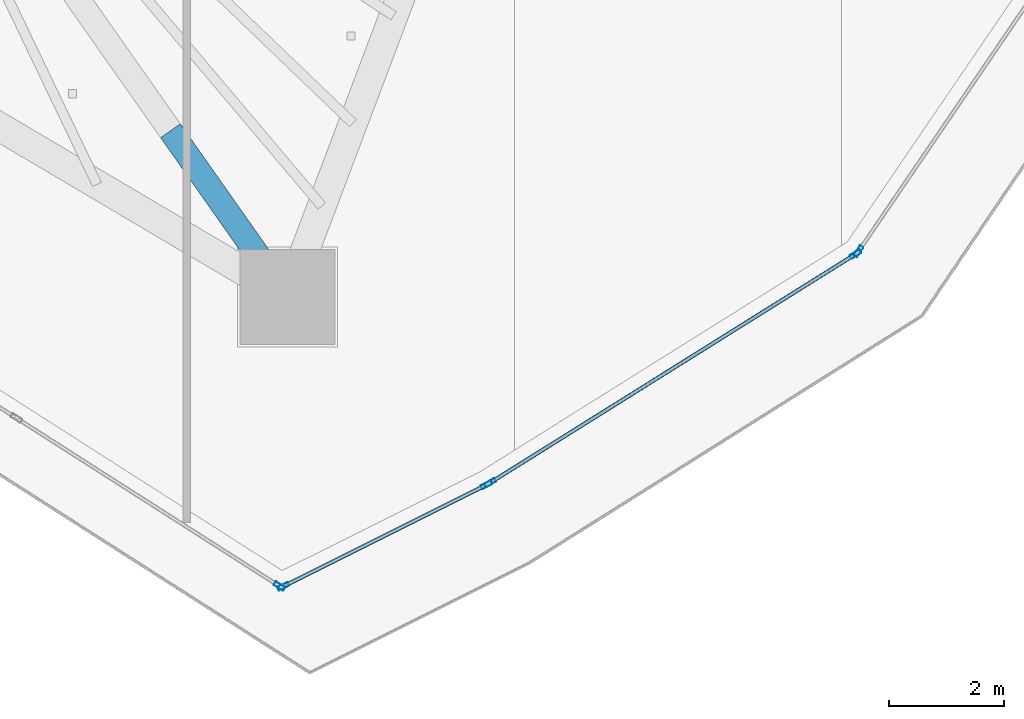
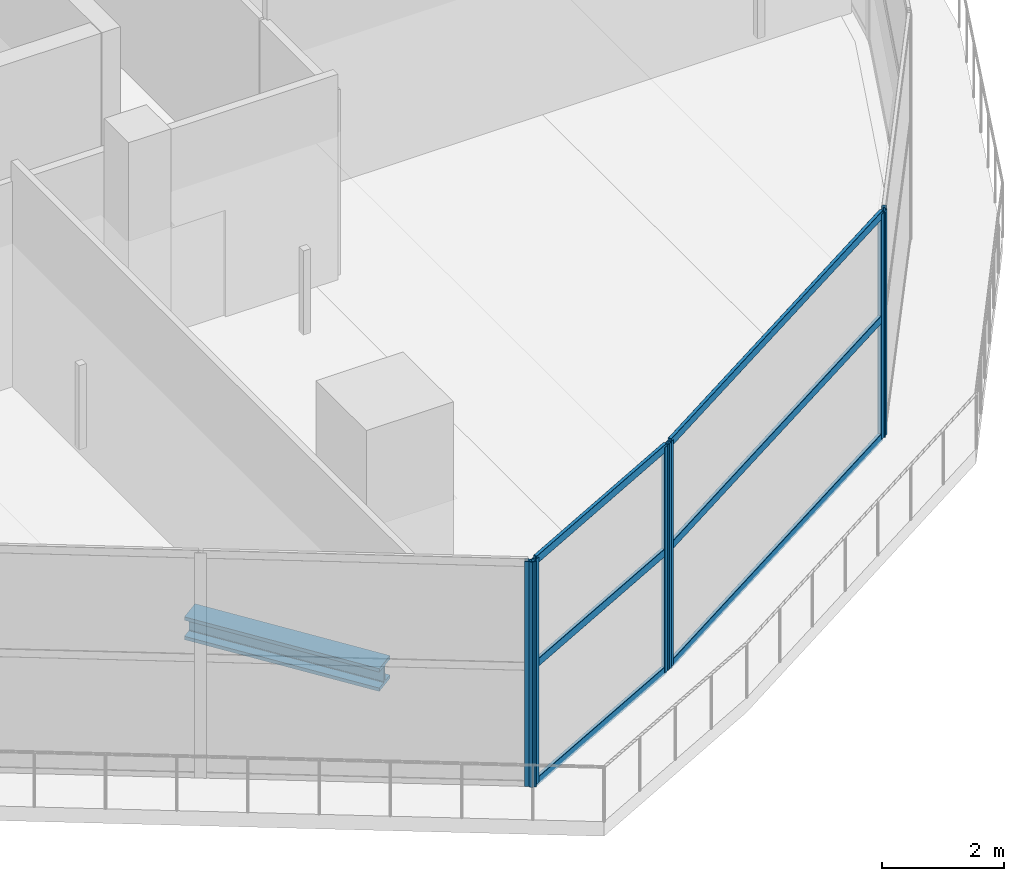
# One storey, part 9 of 36: 13 members, 4 elements without a shape of their own.
"""IFC4 building model written with IfcOpenShell, lengths in metres."""

from ifc_helpers import new_model, si_unit, direction, frame, origin, origin_2d, place, context, subcontext, project, spatial, hollow_rectangle, i_section, extrude, material, layer, layer_set, material_profile, profile_set, type_object, element, aggregate, save


model = new_model("IFC4")

# Units and contexts
model_context = context("Model", 3, precision=1e-05, world=origin(), true_north=direction((0.0, 1.0)))
body_context = subcontext(model_context, "Body", "Model", "MODEL_VIEW")
ifc_project = project(units=[si_unit("LENGTHUNIT", "METRE"), si_unit("AREAUNIT", "SQUARE_METRE"), si_unit("VOLUMEUNIT", "CUBIC_METRE"), si_unit("PLANEANGLEUNIT", "RADIAN"), si_unit("MASSUNIT", "GRAM", prefix="KILO")], contexts=[model_context])

# Site, building, storey
site_placement = place(None, origin())
site = spatial("IfcSite", under=ifc_project, at=site_placement, CompositionType="ELEMENT")
building_placement = place(site_placement, origin())
building = spatial("IfcBuilding", under=site, at=building_placement, Name="Qorvath Tower", CompositionType="ELEMENT")
storey_placement = place(building_placement, frame((0.0, 0.0, 255.0)))
storey = spatial("IfcBuildingStorey", under=building, at=storey_placement, Name="L59", CompositionType="ELEMENT", Elevation=255.0)

# Curtain wall, member
ifc_material_1 = material(Name="Anodised aluminium and triple low-E glass", Category="aluminium")
ifc_layer = layer(ifc_material_1, 0.179931640625)
ifc_layer_set = layer_set([ifc_layer], Name="CW-SYS-5")
curtain_wall_type = type_object("IfcCurtainWallType", Name="CW-SYS-5", PredefinedType="NOTDEFINED", material=ifc_layer_set)
curtain_wall_1_placement = place(storey_placement, origin())
curtain_wall_1 = element("IfcCurtainWall", 1, at=curtain_wall_1_placement, inside=storey, type_object=curtain_wall_type, Name="Curtain Wall CW-5 CW-T-L59-2.2", PredefinedType="NOTDEFINED")
ifc_material_2 = material(Name="Anodised aluminium 6063-T6", Category="aluminium")
ifc_material_profile_1 = material_profile(ifc_material_2, hollow_rectangle(XDim=0.074951171875, YDim=0.199951171875, WallThickness=0.00390625, InnerFilletRadius=0.00390625, OuterFilletRadius=0.008056640625, at=origin_2d()), Name="CWM 200x75")
ifc_profile_set_1 = profile_set([ifc_material_profile_1], Name="Anodised aluminium 6063-T6")
member_type_1 = type_object("IfcMemberType", Name="CWM-200", PredefinedType="MULLION", material=ifc_profile_set_1)
member_1_placement = place(storey_placement, frame((-17.652099609375, -25.117919921875, 0.0), z_axis=(0.0, 0.0, 1.0), x_axis=(0.538534367829, 0.842603545368, 0.0)))
member_1 = element("IfcMember", 2, at=member_1_placement, type_object=member_type_1, Name="CW-5 mullion 5", PredefinedType="MULLION", context=body_context, shape_type="SweptSolid", body=[
    extrude(hollow_rectangle(XDim=0.074951171875, YDim=0.199951171875, WallThickness=0.00390625, InnerFilletRadius=0.00390625, OuterFilletRadius=0.008056640625, at=origin_2d()), origin(), (0.0, 0.0, 1.0), 4.510009765625),
])
aggregate(curtain_wall_1, [member_1])

# Curtain wall, members
curtain_wall_2_placement = place(storey_placement, origin())
curtain_wall_2 = element("IfcCurtainWall", 3, at=curtain_wall_2_placement, inside=storey, type_object=curtain_wall_type, Name="Curtain Wall CW-5 CW-T-L59-3.1", PredefinedType="NOTDEFINED")
member_2_placement = place(storey_placement, frame((-17.587158203125, -25.121337890625, 0.0), z_axis=(0.0, 0.0, 1.0), x_axis=(-0.44716378264, 0.894452095696, 0.0)))
member_2 = element("IfcMember", 4, at=member_2_placement, type_object=member_type_1, Name="CW-5 mullion 1", PredefinedType="MULLION", context=body_context, shape_type="SweptSolid", body=[
    extrude(hollow_rectangle(XDim=0.074951171875, YDim=0.199951171875, WallThickness=0.00390625, InnerFilletRadius=0.00390625, OuterFilletRadius=0.008056640625, at=origin_2d()), origin(), (0.0, 0.0, 1.0), 4.510009765625),
])
member_3_placement = place(storey_placement, frame((-14.062744140625, -23.359619140625, 0.0), z_axis=(0.0, 0.0, 1.0), x_axis=(-0.44716378264, 0.894452095696, 0.0)))
member_3 = element("IfcMember", 5, at=member_3_placement, type_object=member_type_1, Name="CW-5 mullion 2", PredefinedType="MULLION", context=body_context, shape_type="SweptSolid", body=[
    extrude(hollow_rectangle(XDim=0.074951171875, YDim=0.199951171875, WallThickness=0.00390625, InnerFilletRadius=0.00390625, OuterFilletRadius=0.008056640625, at=origin_2d()), origin(), (0.0, 0.0, 1.0), 4.510009765625),
])

curtain_wall_3_placement = place(storey_placement, origin())
curtain_wall_3 = element("IfcCurtainWall", 6, at=curtain_wall_3_placement, inside=storey, type_object=curtain_wall_type, Name="Curtain Wall CW-5 CW-T-L59-4.1", PredefinedType="NOTDEFINED")
member_4_placement = place(storey_placement, frame((-13.99755859375, -23.322998046875, 0.0), z_axis=(0.0, 0.0, 1.0), x_axis=(-0.530464464721, 0.847707173302, 0.0)))
member_4 = element("IfcMember", 7, at=member_4_placement, type_object=member_type_1, Name="CW-5 mullion 1", PredefinedType="MULLION", context=body_context, shape_type="SweptSolid", body=[
    extrude(hollow_rectangle(XDim=0.074951171875, YDim=0.199951171875, WallThickness=0.00390625, InnerFilletRadius=0.00390625, OuterFilletRadius=0.008056640625, at=origin_2d()), origin(), (0.0, 0.0, 1.0), 4.510009765625),
])
member_5_placement = place(storey_placement, frame((-7.662109375, -19.3583984375, 0.0), z_axis=(0.0, 0.0, 1.0), x_axis=(-0.530464464721, 0.847707173302, 0.0)))
member_5 = element("IfcMember", 8, at=member_5_placement, type_object=member_type_1, Name="CW-5 mullion 2", PredefinedType="MULLION", context=body_context, shape_type="SweptSolid", body=[
    extrude(hollow_rectangle(XDim=0.074951171875, YDim=0.199951171875, WallThickness=0.00390625, InnerFilletRadius=0.00390625, OuterFilletRadius=0.008056640625, at=origin_2d()), origin(), (0.0, 0.0, 1.0), 4.510009765625),
])

# Curtain wall, member
curtain_wall_4_placement = place(storey_placement, origin())
curtain_wall_4 = element("IfcCurtainWall", 9, at=curtain_wall_4_placement, inside=storey, type_object=curtain_wall_type, Name="Curtain Wall CW-5 CW-T-L59-5.1", PredefinedType="NOTDEFINED")
member_6_placement = place(storey_placement, frame((-7.609375, -19.3076171875, 0.0), z_axis=(0.0, 0.0, 1.0), x_axis=(-0.826378685409, 0.563114791407, 0.0)))
member_6 = element("IfcMember", 10, at=member_6_placement, type_object=member_type_1, Name="CW-5 mullion 1", PredefinedType="MULLION", context=body_context, shape_type="SweptSolid", body=[
    extrude(hollow_rectangle(XDim=0.074951171875, YDim=0.199951171875, WallThickness=0.00390625, InnerFilletRadius=0.00390625, OuterFilletRadius=0.008056640625, at=origin_2d()), origin(), (0.0, 0.0, 1.0), 4.510009765625),
])
aggregate(curtain_wall_4, [member_6])

# Member
ifc_material_3 = material(Name="Anodised aluminium 6063-T6", Category="aluminium")
ifc_material_profile_2 = material_profile(ifc_material_3, hollow_rectangle(XDim=0.06494140625, YDim=0.159912109375, WallThickness=0.00341796875, InnerFilletRadius=0.00341796875, OuterFilletRadius=0.007080078125, at=origin_2d()), Name="CWT 160x65")
ifc_profile_set_2 = profile_set([ifc_material_profile_2], Name="Anodised aluminium 6063-T6")
member_type_2 = type_object("IfcMemberType", Name="CWT-160", PredefinedType="USERDEFINED", material=ifc_profile_set_2)
member_7_placement = place(storey_placement, frame((-17.553466796875, -25.104736328125, 0.032470703125), z_axis=(0.894427191, 0.4472135955, 0.0), x_axis=(-0.4472135955, 0.894427191, 0.0)))
member_7 = element("IfcMember", 11, at=member_7_placement, type_object=member_type_2, Name="CW-5 transom 1.1", ObjectType="TRANSOM", PredefinedType="USERDEFINED", context=body_context, shape_type="SweptSolid", body=[
    extrude(hollow_rectangle(XDim=0.06494140625, YDim=0.159912109375, WallThickness=0.00341796875, InnerFilletRadius=0.00341796875, OuterFilletRadius=0.007080078125, at=origin_2d()), origin(), (0.0, 0.0, 1.0), 3.864990234375),
])

member_8_placement = place(storey_placement, frame((-17.553466796875, -25.104736328125, 2.39990234375), z_axis=(0.894427191, 0.4472135955, 0.0), x_axis=(-0.4472135955, 0.894427191, 0.0)))
member_8 = element("IfcMember", 12, at=member_8_placement, type_object=member_type_2, Name="CW-5 transom 1.2", ObjectType="TRANSOM", PredefinedType="USERDEFINED", context=body_context, shape_type="SweptSolid", body=[
    extrude(hollow_rectangle(XDim=0.06494140625, YDim=0.159912109375, WallThickness=0.00341796875, InnerFilletRadius=0.00341796875, OuterFilletRadius=0.007080078125, at=origin_2d()), origin(), (0.0, 0.0, 1.0), 3.864990234375),
])

member_9_placement = place(storey_placement, frame((-17.553466796875, -25.104736328125, 4.4775390625), z_axis=(0.894427191, 0.4472135955, 0.0), x_axis=(-0.4472135955, 0.894427191, 0.0)))
member_9 = element("IfcMember", 13, at=member_9_placement, type_object=member_type_2, Name="CW-5 transom 1.3", ObjectType="TRANSOM", PredefinedType="USERDEFINED", context=body_context, shape_type="SweptSolid", body=[
    extrude(hollow_rectangle(XDim=0.06494140625, YDim=0.159912109375, WallThickness=0.00341796875, InnerFilletRadius=0.00341796875, OuterFilletRadius=0.007080078125, at=origin_2d()), origin(), (0.0, 0.0, 1.0), 3.864990234375),
])

aggregate(curtain_wall_2, [member_2, member_3, member_7, member_8, member_9])

member_10_placement = place(storey_placement, frame((-13.9658203125, -23.302978515625, 0.032470703125), z_axis=(0.847710828691, 0.530458623193, 0.0), x_axis=(-0.530458623193, 0.847710828691, 0.0)))
member_10 = element("IfcMember", 14, at=member_10_placement, type_object=member_type_2, Name="CW-5 transom 1.1", ObjectType="TRANSOM", PredefinedType="USERDEFINED", context=body_context, shape_type="SweptSolid", body=[
    extrude(hollow_rectangle(XDim=0.06494140625, YDim=0.159912109375, WallThickness=0.00341796875, InnerFilletRadius=0.00341796875, OuterFilletRadius=0.007080078125, at=origin_2d()), origin(), (0.0, 0.0, 1.0), 7.3984375),
])

member_11_placement = place(storey_placement, frame((-13.9658203125, -23.302978515625, 2.39990234375), z_axis=(0.847710828691, 0.530458623193, 0.0), x_axis=(-0.530458623193, 0.847710828691, 0.0)))
member_11 = element("IfcMember", 15, at=member_11_placement, type_object=member_type_2, Name="CW-5 transom 1.2", ObjectType="TRANSOM", PredefinedType="USERDEFINED", context=body_context, shape_type="SweptSolid", body=[
    extrude(hollow_rectangle(XDim=0.06494140625, YDim=0.159912109375, WallThickness=0.00341796875, InnerFilletRadius=0.00341796875, OuterFilletRadius=0.007080078125, at=origin_2d()), origin(), (0.0, 0.0, 1.0), 7.3984375),
])

member_12_placement = place(storey_placement, frame((-13.9658203125, -23.302978515625, 4.4775390625), z_axis=(0.847710828691, 0.530458623193, 0.0), x_axis=(-0.530458623193, 0.847710828691, 0.0)))
member_12 = element("IfcMember", 16, at=member_12_placement, type_object=member_type_2, Name="CW-5 transom 1.3", ObjectType="TRANSOM", PredefinedType="USERDEFINED", context=body_context, shape_type="SweptSolid", body=[
    extrude(hollow_rectangle(XDim=0.06494140625, YDim=0.159912109375, WallThickness=0.00341796875, InnerFilletRadius=0.00341796875, OuterFilletRadius=0.007080078125, at=origin_2d()), origin(), (0.0, 0.0, 1.0), 7.3984375),
])

aggregate(curtain_wall_3, [member_4, member_5, member_10, member_11, member_12])

ifc_material_4 = material(Name="Steel ASTM A913 Grade 65", Category="steel")
ifc_material_profile_3 = material_profile(ifc_material_4, i_section(OverallWidth=0.4189453125, OverallDepth=0.455078125, WebThickness=0.0419921875, FlangeThickness=0.067626953125, FilletRadius=0.02490234375, at=origin_2d()), Name="W14x370")
ifc_profile_set_3 = profile_set([ifc_material_profile_3], Name="Steel ASTM A913 Grade 65")
member_type_3 = type_object("IfcMemberType", Name="MEM-OT2", PredefinedType="CHORD", material=ifc_profile_set_3)
member_13_placement = place(storey_placement, frame((-19.543701171875, -17.2177734375, -0.85009765625), z_axis=(0.575301278452, -0.817941586552, 0.0), x_axis=(0.817941586552, 0.575301278452, 0.0)))
element("IfcMember", 17, at=member_13_placement, inside=storey, type_object=member_type_3, Name="Outrigger and Belt Truss Top Chord OB3-4.3", PredefinedType="CHORD", context=body_context, shape_type="SweptSolid", body=[
    extrude(i_section(OverallWidth=0.4189453125, OverallDepth=0.455078125, WebThickness=0.0419921875, FlangeThickness=0.067626953125, FilletRadius=0.02490234375, at=origin_2d()), origin(), (0.0, 0.0, 1.0), 3.525634765625),
])

save(model, "model.ifc")
